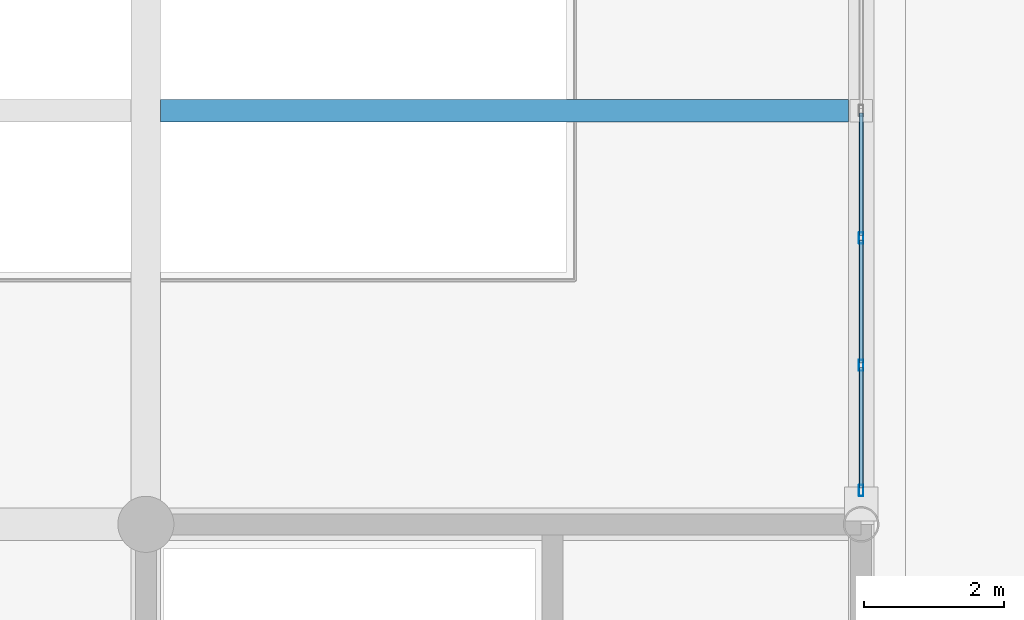
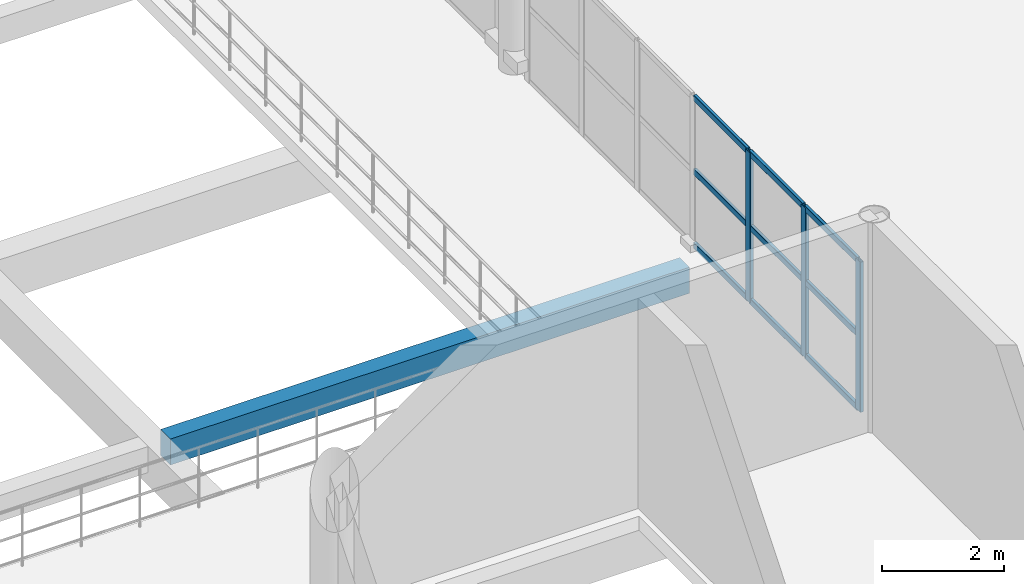
# One storey, part 60 of 157: 12 members, 1 beam, 1 element without a shape of its own.
"""IFC4 building model written with IfcOpenShell, lengths in metres."""

from ifc_helpers import new_model, si_unit, direction, frame, origin, origin_2d, place, context, subcontext, project, spatial, rectangle, hollow_rectangle, extrude, material, material_profile, profile_set, type_object, element, aggregate, save


model = new_model("IFC4")

# Units and contexts
model_context = context("Model", 3, precision=1e-05, world=origin(), true_north=direction((0.0, 1.0)))
body_context = subcontext(model_context, "Body", "Model", "MODEL_VIEW")
ifc_project = project(units=[si_unit("LENGTHUNIT", "METRE"), si_unit("AREAUNIT", "SQUARE_METRE"), si_unit("VOLUMEUNIT", "CUBIC_METRE"), si_unit("PLANEANGLEUNIT", "RADIAN"), si_unit("MASSUNIT", "GRAM", prefix="KILO")], contexts=[model_context])

# Site, building, storey
site_placement = place(None, origin())
site = spatial("IfcSite", under=ifc_project, at=site_placement, CompositionType="ELEMENT")
building_placement = place(site_placement, origin())
building = spatial("IfcBuilding", under=site, at=building_placement, Name="Brelvane Convention Centre", CompositionType="ELEMENT")
storey_placement = place(building_placement, frame((0.0, 0.0, 10.800048828125)))
storey = spatial("IfcBuildingStorey", under=building, at=storey_placement, Name="L02", CompositionType="ELEMENT", Elevation=10.800048828125)

# Curtain wall, members
ifc_material_1 = material(Name="Anodised Aluminium Alloy 6063-T6", Category="aluminium")
curtain_wall_type = type_object("IfcCurtainWallType", Name="Curtain Wall CW-CONC", PredefinedType="USERDEFINED", material=ifc_material_1)
curtain_wall_placement = place(storey_placement, origin())
curtain_wall = element("IfcCurtainWall", 1, at=curtain_wall_placement, inside=storey, type_object=curtain_wall_type, Name="Curtain Wall CW-CONC L02-GAL-ATRIUM-E-2", ObjectType="UNITISED", PredefinedType="USERDEFINED")
ifc_material_2 = material(Name="Anodised Aluminium Alloy 6063-T6", Category="aluminium")
ifc_material_profile_1 = material_profile(ifc_material_2, hollow_rectangle(XDim=0.06494140625, YDim=0.159912109375, WallThickness=0.00390625, InnerFilletRadius=0.00390625, OuterFilletRadius=0.008056640625, at=origin_2d()), Name="ALU-M 160x65x4.0")
ifc_profile_set_1 = profile_set([ifc_material_profile_1], Name="Anodised Aluminium Alloy 6063-T6")
member_type_1 = type_object("IfcMemberType", Name="Curtain Mullion CW-M3", PredefinedType="MULLION", material=ifc_profile_set_1)
member_1_placement = place(storey_placement, frame((163.199951171875, 52.882568359375, 0.0), z_axis=(0.0, 0.0, 1.0), x_axis=(-1.0, 0.0, 0.0)))
member_1 = element("IfcMember", 2, at=member_1_placement, type_object=member_type_1, Name="CW-CONC mullion 1", PredefinedType="MULLION", context=body_context, shape_type="SweptSolid", body=[
    extrude(hollow_rectangle(XDim=0.06494140625, YDim=0.159912109375, WallThickness=0.00390625, InnerFilletRadius=0.00390625, OuterFilletRadius=0.008056640625, at=origin_2d()), origin(), (0.0, 0.0, 1.0), 3.0),
])
member_2_placement = place(storey_placement, frame((163.199951171875, 54.666748046875, 0.0), z_axis=(0.0, 0.0, 1.0), x_axis=(-1.0, 0.0, 0.0)))
member_2 = element("IfcMember", 3, at=member_2_placement, type_object=member_type_1, Name="CW-CONC mullion 2", PredefinedType="MULLION", context=body_context, shape_type="SweptSolid", body=[
    extrude(hollow_rectangle(XDim=0.06494140625, YDim=0.159912109375, WallThickness=0.00390625, InnerFilletRadius=0.00390625, OuterFilletRadius=0.008056640625, at=origin_2d()), origin(), (0.0, 0.0, 1.0), 3.0),
])
member_3_placement = place(storey_placement, frame((163.199951171875, 56.4833984375, 0.0), z_axis=(0.0, 0.0, 1.0), x_axis=(-1.0, 0.0, 0.0)))
member_3 = element("IfcMember", 4, at=member_3_placement, type_object=member_type_1, Name="CW-CONC mullion 3", PredefinedType="MULLION", context=body_context, shape_type="SweptSolid", body=[
    extrude(hollow_rectangle(XDim=0.06494140625, YDim=0.159912109375, WallThickness=0.00390625, InnerFilletRadius=0.00390625, OuterFilletRadius=0.008056640625, at=origin_2d()), origin(), (0.0, 0.0, 1.0), 3.0),
])
ifc_material_3 = material(Name="Anodised Aluminium Alloy 6063-T6", Category="aluminium")
ifc_material_profile_2 = material_profile(ifc_material_3, hollow_rectangle(XDim=0.06005859375, YDim=0.1201171875, WallThickness=0.00390625, InnerFilletRadius=0.00390625, OuterFilletRadius=0.008056640625, at=origin_2d()), Name="ALU-T 120x60x4.0")
ifc_profile_set_2 = profile_set([ifc_material_profile_2], Name="Anodised Aluminium Alloy 6063-T6")
member_type_2 = type_object("IfcMemberType", Name="Curtain Transom CW-T3", PredefinedType="USERDEFINED", material=ifc_profile_set_2)
member_4_placement = place(storey_placement, frame((163.199951171875, 52.9150390625, 0.030029296875), z_axis=(0.0, 1.0, 0.0), x_axis=(-1.0, 0.0, 0.0)))
member_4 = element("IfcMember", 5, at=member_4_placement, type_object=member_type_2, Name="CW-CONC transom 1.1", ObjectType="TRANSOM", PredefinedType="USERDEFINED", context=body_context, shape_type="SweptSolid", body=[
    extrude(hollow_rectangle(XDim=0.06005859375, YDim=0.1201171875, WallThickness=0.00390625, InnerFilletRadius=0.00390625, OuterFilletRadius=0.008056640625, at=origin_2d()), origin(), (0.0, 0.0, 1.0), 1.71923828125),
])
member_5_placement = place(storey_placement, frame((163.199951171875, 52.9150390625, 1.5), z_axis=(0.0, 1.0, 0.0), x_axis=(-1.0, 0.0, 0.0)))
member_5 = element("IfcMember", 6, at=member_5_placement, type_object=member_type_2, Name="CW-CONC transom 1.2", ObjectType="TRANSOM", PredefinedType="USERDEFINED", context=body_context, shape_type="SweptSolid", body=[
    extrude(hollow_rectangle(XDim=0.06005859375, YDim=0.1201171875, WallThickness=0.00390625, InnerFilletRadius=0.00390625, OuterFilletRadius=0.008056640625, at=origin_2d()), origin(), (0.0, 0.0, 1.0), 1.71923828125),
])
member_6_placement = place(storey_placement, frame((163.199951171875, 52.9150390625, 2.969970703125), z_axis=(0.0, 1.0, 0.0), x_axis=(-1.0, 0.0, 0.0)))
member_6 = element("IfcMember", 7, at=member_6_placement, type_object=member_type_2, Name="CW-CONC transom 1.3", ObjectType="TRANSOM", PredefinedType="USERDEFINED", context=body_context, shape_type="SweptSolid", body=[
    extrude(hollow_rectangle(XDim=0.06005859375, YDim=0.1201171875, WallThickness=0.00390625, InnerFilletRadius=0.00390625, OuterFilletRadius=0.008056640625, at=origin_2d()), origin(), (0.0, 0.0, 1.0), 1.71923828125),
])
member_7_placement = place(storey_placement, frame((163.199951171875, 54.69921875, 0.030029296875), z_axis=(0.0, 1.0, 0.0), x_axis=(-1.0, 0.0, 0.0)))
member_7 = element("IfcMember", 8, at=member_7_placement, type_object=member_type_2, Name="CW-CONC transom 2.1", ObjectType="TRANSOM", PredefinedType="USERDEFINED", context=body_context, shape_type="SweptSolid", body=[
    extrude(hollow_rectangle(XDim=0.06005859375, YDim=0.1201171875, WallThickness=0.00390625, InnerFilletRadius=0.00390625, OuterFilletRadius=0.008056640625, at=origin_2d()), origin(), (0.0, 0.0, 1.0), 1.751708984375),
])
member_8_placement = place(storey_placement, frame((163.199951171875, 54.69921875, 1.5), z_axis=(0.0, 1.0, 0.0), x_axis=(-1.0, 0.0, 0.0)))
member_8 = element("IfcMember", 9, at=member_8_placement, type_object=member_type_2, Name="CW-CONC transom 2.2", ObjectType="TRANSOM", PredefinedType="USERDEFINED", context=body_context, shape_type="SweptSolid", body=[
    extrude(hollow_rectangle(XDim=0.06005859375, YDim=0.1201171875, WallThickness=0.00390625, InnerFilletRadius=0.00390625, OuterFilletRadius=0.008056640625, at=origin_2d()), origin(), (0.0, 0.0, 1.0), 1.751708984375),
])
member_9_placement = place(storey_placement, frame((163.199951171875, 54.69921875, 2.969970703125), z_axis=(0.0, 1.0, 0.0), x_axis=(-1.0, 0.0, 0.0)))
member_9 = element("IfcMember", 10, at=member_9_placement, type_object=member_type_2, Name="CW-CONC transom 2.3", ObjectType="TRANSOM", PredefinedType="USERDEFINED", context=body_context, shape_type="SweptSolid", body=[
    extrude(hollow_rectangle(XDim=0.06005859375, YDim=0.1201171875, WallThickness=0.00390625, InnerFilletRadius=0.00390625, OuterFilletRadius=0.008056640625, at=origin_2d()), origin(), (0.0, 0.0, 1.0), 1.751708984375),
])
member_10_placement = place(storey_placement, frame((163.199951171875, 56.515869140625, 0.030029296875), z_axis=(0.0, 1.0, 0.0), x_axis=(-1.0, 0.0, 0.0)))
member_10 = element("IfcMember", 11, at=member_10_placement, type_object=member_type_2, Name="CW-CONC transom 3.1", ObjectType="TRANSOM", PredefinedType="USERDEFINED", context=body_context, shape_type="SweptSolid", body=[
    extrude(hollow_rectangle(XDim=0.06005859375, YDim=0.1201171875, WallThickness=0.00390625, InnerFilletRadius=0.00390625, OuterFilletRadius=0.008056640625, at=origin_2d()), origin(), (0.0, 0.0, 1.0), 1.751708984375),
])
member_11_placement = place(storey_placement, frame((163.199951171875, 56.515869140625, 1.5), z_axis=(0.0, 1.0, 0.0), x_axis=(-1.0, 0.0, 0.0)))
member_11 = element("IfcMember", 12, at=member_11_placement, type_object=member_type_2, Name="CW-CONC transom 3.2", ObjectType="TRANSOM", PredefinedType="USERDEFINED", context=body_context, shape_type="SweptSolid", body=[
    extrude(hollow_rectangle(XDim=0.06005859375, YDim=0.1201171875, WallThickness=0.00390625, InnerFilletRadius=0.00390625, OuterFilletRadius=0.008056640625, at=origin_2d()), origin(), (0.0, 0.0, 1.0), 1.751708984375),
])
member_12_placement = place(storey_placement, frame((163.199951171875, 56.515869140625, 2.969970703125), z_axis=(0.0, 1.0, 0.0), x_axis=(-1.0, 0.0, 0.0)))
member_12 = element("IfcMember", 13, at=member_12_placement, type_object=member_type_2, Name="CW-CONC transom 3.3", ObjectType="TRANSOM", PredefinedType="USERDEFINED", context=body_context, shape_type="SweptSolid", body=[
    extrude(hollow_rectangle(XDim=0.06005859375, YDim=0.1201171875, WallThickness=0.00390625, InnerFilletRadius=0.00390625, OuterFilletRadius=0.008056640625, at=origin_2d()), origin(), (0.0, 0.0, 1.0), 1.751708984375),
])
aggregate(curtain_wall, [member_1, member_2, member_3, member_4, member_5, member_6, member_7, member_8, member_9, member_10, member_11, member_12])

# Beam
ifc_material_4 = material(Name="Concrete M40", Category="concrete")
ifc_material_profile_3 = material_profile(ifc_material_4, rectangle(XDim=0.320068359375, YDim=0.52001953125, at=origin_2d()), Name="RC 320x520")
ifc_profile_set_3 = profile_set([ifc_material_profile_3], Name="Concrete M40")
beam_type = type_object("IfcBeamType", Name="RC Joist J-RC4 (RC 320x520)", PredefinedType="JOIST", material=ifc_profile_set_3)
beam_placement = place(storey_placement, frame((153.2099609375, 58.300048828125, -0.5400390625), z_axis=(1.0, 0.0, 0.0), x_axis=(0.0, 1.0, 0.0)))
element("IfcBeam", 14, at=beam_placement, inside=storey, type_object=beam_type, Name="L02 Secondary Joist 16-17/FG", PredefinedType="JOIST", context=body_context, shape_type="SweptSolid", body=[
    extrude(rectangle(XDim=0.320068359375, YDim=0.52001953125, at=origin_2d()), origin(), (0.0, 0.0, 1.0), 9.81005859375),
])

save(model, "model.ifc")
